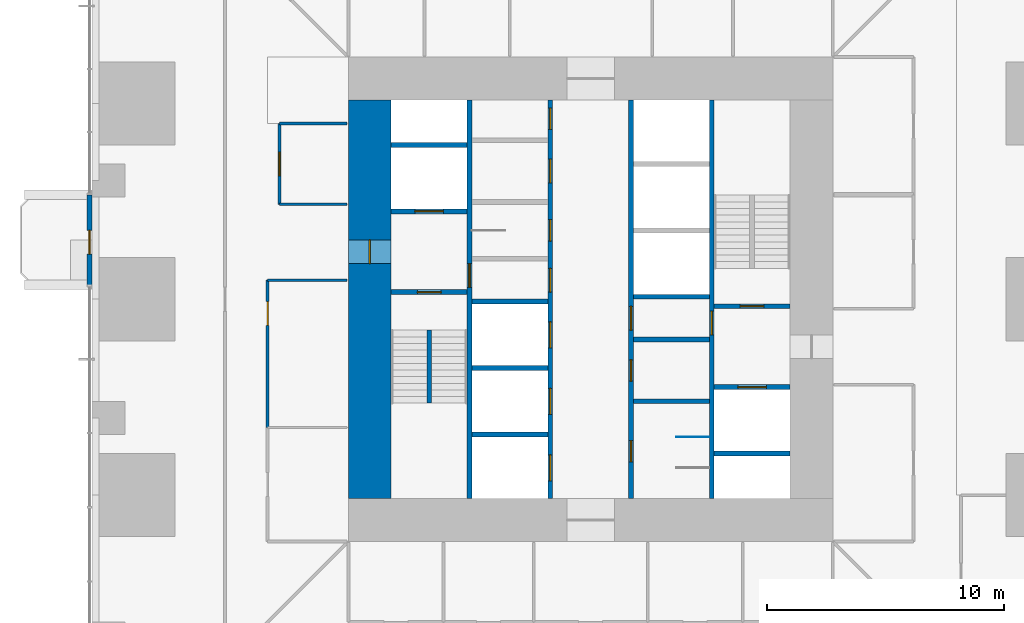
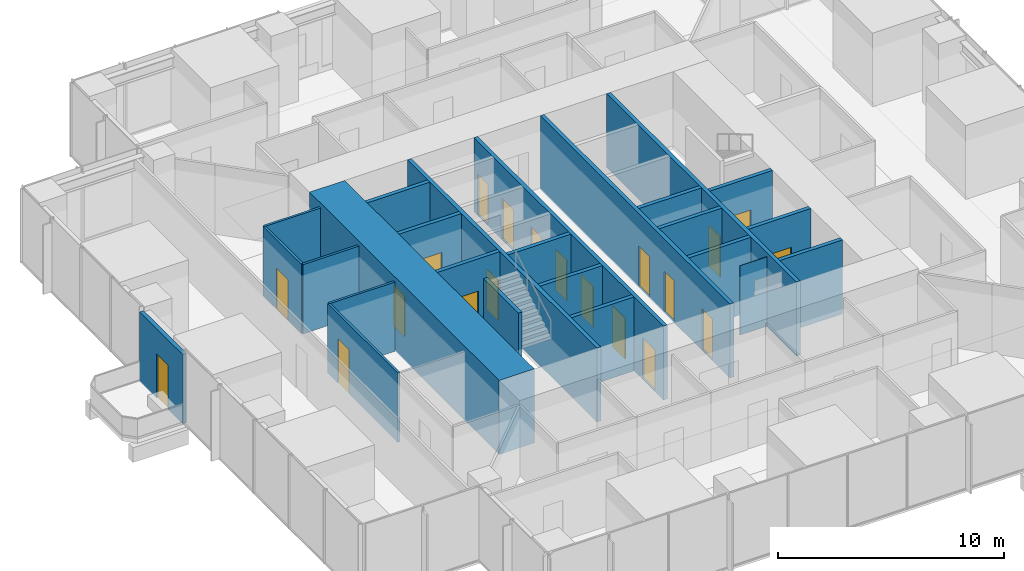
# One storey, part 10 of 15: 25 walls, 20 doors, 20 openings.
"""IFC4 building model written with IfcOpenShell, lengths in metres."""

from ifc_helpers import new_model, si_unit, direction, frame, frame_2d, origin, place, context, subcontext, project, spatial, rectangle, extrude, material, layer, layer_set, type_object, element, fill, save


model = new_model("IFC4")

# Units and contexts
model_context = context("Model", 3, precision=1e-05, world=origin(), true_north=direction((0.0, 1.0)))
body_context = subcontext(model_context, "Body", "Model", "MODEL_VIEW")
ifc_project = project(units=[si_unit("LENGTHUNIT", "METRE"), si_unit("AREAUNIT", "SQUARE_METRE"), si_unit("VOLUMEUNIT", "CUBIC_METRE"), si_unit("PLANEANGLEUNIT", "RADIAN"), si_unit("MASSUNIT", "GRAM", prefix="KILO")], contexts=[model_context])

# Site, building, storey
site_placement = place(None, origin())
site = spatial("IfcSite", under=ifc_project, at=site_placement, CompositionType="ELEMENT")
building_placement = place(site_placement, origin())
building = spatial("IfcBuilding", under=site, at=building_placement, Name="Svetlomir Tower", CompositionType="ELEMENT")
storey_placement = place(building_placement, frame((0.0, 0.0, 42.5)))
storey = spatial("IfcBuildingStorey", under=building, at=storey_placement, Name="L09", CompositionType="ELEMENT", Elevation=42.5)

# Wall, opening, door
ifc_material_1 = material(Name="Bronze anodised aluminium glazed screen", Category="aluminium")
ifc_layer_1 = layer(ifc_material_1, 0.199951171875)
ifc_layer_set_1 = layer_set([ifc_layer_1], Name="Bronze anodised aluminium glazed screen")
wall_type_1 = type_object("IfcWallType", Name="BALCONY SCREEN WALL 200", PredefinedType="USERDEFINED", material=ifc_layer_set_1)
wall_1_placement = place(storey_placement, frame((-0.10009765625, 25.39990234375, 0.0), z_axis=(0.0, 0.0, 1.0), x_axis=(0.0, -1.0, 0.0)))
wall_1 = element("IfcWall", 1, at=wall_1_placement, inside=storey, type_object=wall_type_1, Name="Balcony screen W", ObjectType="GLAZED SCREEN", PredefinedType="USERDEFINED", context=body_context, shape_type="SweptSolid", body=[
    extrude(rectangle(XDim=3.7998046875, YDim=0.199951171875, at=frame_2d((1.89990234375, 0.0))), origin(), (0.0, 0.0, 1.0), 3.75),
])
opening_1_placement = place(wall_1_placement, frame((1.5, 0.0, 0.0)))
opening_1 = element("IfcOpeningElement", 2, at=opening_1_placement, cuts=wall_1, Name="Opening BD", PredefinedType="OPENING", context=body_context, shape_type="SweptSolid", body=[
    extrude(rectangle(XDim=1.0, YDim=2.39990234375, at=frame_2d((0.5, 1.199951171875))), frame((0.0, 0.10986328125, 0.0), z_axis=(0.0, -1.0, 0.0), x_axis=(1.0, 0.0, 0.0)), (0.0, 0.0, 1.0), 0.219970703125),
])
ifc_material_2 = material(Name="Bronze anodised aluminium glazed door", Category="aluminium")
door_type_1 = type_object("IfcDoorType", Name="BALCONY DOOR BD 1000x2400", OperationType="SINGLE_SWING_LEFT", PredefinedType="DOOR", material=ifc_material_2)
door_1_placement = place(opening_1_placement, origin())
door_1 = element("IfcDoor", 3, at=door_1_placement, inside=storey, type_object=door_type_1, Name="Balcony screen W door", OperationType="SINGLE_SWING_LEFT", OverallHeight=2.39990234375, OverallWidth=1.0, PredefinedType="DOOR", context=body_context, shape_type="SweptSolid", body=[
    extrude(rectangle(XDim=1.0, YDim=2.39990234375, at=frame_2d((0.5, 1.199951171875))), frame((0.0, 0.02490234375, 0.0), z_axis=(0.0, -1.0, 0.0), x_axis=(1.0, 0.0, 0.0)), (0.0, 0.0, 1.0), 0.050048828125),
])
fill(opening_1, door_1)

ifc_material_3 = material(Name="Concrete C60/75", Category="concrete")
ifc_layer_2 = layer(ifc_material_3, 0.199951171875)
ifc_layer_set_2 = layer_set([ifc_layer_2], Name="Concrete C60/75")
wall_type_2 = type_object("IfcWallType", Name="CORE INNER WALL 200", PredefinedType="SHEAR", material=ifc_layer_set_2)
wall_2_placement = place(storey_placement, frame((15.89990234375, 12.60009765625, -0.050048828125), z_axis=(0.0, 0.0, 1.0), x_axis=(0.0, 1.0, 0.0)))
wall_2 = element("IfcWall", 4, at=wall_2_placement, inside=storey, type_object=wall_type_2, Name="Core inner wall 15.9 L09", PredefinedType="SHEAR", context=body_context, shape_type="SweptSolid", body=[
    extrude(rectangle(XDim=16.7998046875, YDim=0.199951171875, at=frame_2d((8.39990234375, 0.0))), origin(), (0.0, 0.0, 1.0), 4.0),
])
opening_2_placement = place(wall_2_placement, frame((8.89990234375, 0.0, 0.050048828125)))
opening_2 = element("IfcOpeningElement", 5, at=opening_2_placement, cuts=wall_2, Name="Opening DF", PredefinedType="OPENING", context=body_context, shape_type="SweptSolid", body=[
    extrude(rectangle(XDim=1.0, YDim=2.199951171875, at=frame_2d((0.5, 1.10009765625))), frame((0.0, 0.10986328125, 0.0), z_axis=(0.0, -1.0, 0.0), x_axis=(1.0, 0.0, 0.0)), (0.0, 0.0, 1.0), 0.219970703125),
])
ifc_material_4 = material(Name="Steel fire door", Category="steel")
door_type_2 = type_object("IfcDoorType", Name="DOOR DF 1000x2200", OperationType="SINGLE_SWING_LEFT", PredefinedType="DOOR", material=ifc_material_4)
door_2_placement = place(opening_2_placement, origin())
door_2 = element("IfcDoor", 6, at=door_2_placement, inside=storey, type_object=door_type_2, Name="Core corridor west door L09", OperationType="SINGLE_SWING_LEFT", OverallHeight=2.199951171875, OverallWidth=1.0, PredefinedType="DOOR", context=body_context, shape_type="SweptSolid", body=[
    extrude(rectangle(XDim=1.0, YDim=2.199951171875, at=frame_2d((0.5, 1.10009765625))), frame((0.0, 0.02490234375, 0.0), z_axis=(0.0, -1.0, 0.0), x_axis=(1.0, 0.0, 0.0)), (0.0, 0.0, 1.0), 0.050048828125),
])
fill(opening_2, door_2)

# Wall, openings, doors
wall_3_placement = place(storey_placement, frame((19.300048828125, 12.60009765625, -0.050048828125), z_axis=(0.0, 0.0, 1.0), x_axis=(0.0, 1.0, 0.0)))
wall_3 = element("IfcWall", 7, at=wall_3_placement, inside=storey, type_object=wall_type_2, Name="Core inner wall 19.3 L09", PredefinedType="SHEAR", context=body_context, shape_type="SweptSolid", body=[
    extrude(rectangle(XDim=16.7998046875, YDim=0.199951171875, at=frame_2d((8.39990234375, 0.0))), origin(), (0.0, 0.0, 1.0), 4.0),
])
opening_3_placement = place(wall_3_placement, frame((8.699951171875, 0.0, 0.050048828125)))
opening_3 = element("IfcOpeningElement", 8, at=opening_3_placement, cuts=wall_3, Name="Opening DC", PredefinedType="OPENING", context=body_context, shape_type="SweptSolid", body=[
    extrude(rectangle(XDim=1.0, YDim=2.199951171875, at=frame_2d((0.5, 1.10009765625))), frame((0.0, 0.10986328125, 0.0), z_axis=(0.0, -1.0, 0.0), x_axis=(1.0, 0.0, 0.0)), (0.0, 0.0, 1.0), 0.219970703125),
])
opening_4_placement = place(wall_3_placement, frame((10.85009765625, 0.0, 0.050048828125)))
opening_4 = element("IfcOpeningElement", 9, at=opening_4_placement, cuts=wall_3, Name="Opening DW", PredefinedType="OPENING", context=body_context, shape_type="SweptSolid", body=[
    extrude(rectangle(XDim=0.89990234375, YDim=2.199951171875, at=frame_2d((0.449951171875, 1.10009765625))), frame((0.0, 0.10986328125, 0.0), z_axis=(0.0, -1.0, 0.0), x_axis=(1.0, 0.0, 0.0)), (0.0, 0.0, 1.0), 0.219970703125),
])
opening_5_placement = place(wall_3_placement, frame((13.300048828125, 0.0, 0.050048828125)))
opening_5 = element("IfcOpeningElement", 10, at=opening_5_placement, cuts=wall_3, Name="Opening DC", PredefinedType="OPENING", context=body_context, shape_type="SweptSolid", body=[
    extrude(rectangle(XDim=1.0, YDim=2.199951171875, at=frame_2d((0.5, 1.10009765625))), frame((0.0, 0.10986328125, 0.0), z_axis=(0.0, -1.0, 0.0), x_axis=(1.0, 0.0, 0.0)), (0.0, 0.0, 1.0), 0.219970703125),
])
opening_6_placement = place(wall_3_placement, frame((15.550048828125, 0.0, 0.050048828125)))
opening_6 = element("IfcOpeningElement", 11, at=opening_6_placement, cuts=wall_3, Name="Opening DW", PredefinedType="OPENING", context=body_context, shape_type="SweptSolid", body=[
    extrude(rectangle(XDim=0.89990234375, YDim=2.199951171875, at=frame_2d((0.449951171875, 1.10009765625))), frame((0.0, 0.10986328125, 0.0), z_axis=(0.0, -1.0, 0.0), x_axis=(1.0, 0.0, 0.0)), (0.0, 0.0, 1.0), 0.219970703125),
])
opening_7_placement = place(wall_3_placement, frame((0.75, 0.0, 0.050048828125)))
opening_7 = element("IfcOpeningElement", 12, at=opening_7_placement, cuts=wall_3, Name="Opening LD", PredefinedType="OPENING", context=body_context, shape_type="SweptSolid", body=[
    extrude(rectangle(XDim=1.10009765625, YDim=2.199951171875, at=frame_2d((0.550048828125, 1.10009765625))), frame((0.0, 0.10986328125, 0.0), z_axis=(0.0, -1.0, 0.0), x_axis=(1.0, 0.0, 0.0)), (0.0, 0.0, 1.0), 0.219970703125),
])
opening_8_placement = place(wall_3_placement, frame((3.550048828125, 0.0, 0.050048828125)))
opening_8 = element("IfcOpeningElement", 13, at=opening_8_placement, cuts=wall_3, Name="Opening LD", PredefinedType="OPENING", context=body_context, shape_type="SweptSolid", body=[
    extrude(rectangle(XDim=1.10009765625, YDim=2.199951171875, at=frame_2d((0.550048828125, 1.10009765625))), frame((0.0, 0.10986328125, 0.0), z_axis=(0.0, -1.0, 0.0), x_axis=(1.0, 0.0, 0.0)), (0.0, 0.0, 1.0), 0.219970703125),
])
opening_9_placement = place(wall_3_placement, frame((6.35009765625, 0.0, 0.050048828125)))
opening_9 = element("IfcOpeningElement", 14, at=opening_9_placement, cuts=wall_3, Name="Opening LD", PredefinedType="OPENING", context=body_context, shape_type="SweptSolid", body=[
    extrude(rectangle(XDim=1.10009765625, YDim=2.199951171875, at=frame_2d((0.550048828125, 1.10009765625))), frame((0.0, 0.10986328125, 0.0), z_axis=(0.0, -1.0, 0.0), x_axis=(1.0, 0.0, 0.0)), (0.0, 0.0, 1.0), 0.219970703125),
])
ifc_material_5 = material(Name="Timber fire door", Category="wood")
door_type_3 = type_object("IfcDoorType", Name="DOOR DC 1000x2200", OperationType="SINGLE_SWING_LEFT", PredefinedType="DOOR", material=ifc_material_5)
door_3_placement = place(opening_3_placement, origin())
door_3 = element("IfcDoor", 15, at=door_3_placement, inside=storey, type_object=door_type_3, Name="Core corridor west lobby door L09", OperationType="SINGLE_SWING_LEFT", OverallHeight=2.199951171875, OverallWidth=1.0, PredefinedType="DOOR", context=body_context, shape_type="SweptSolid", body=[
    extrude(rectangle(XDim=1.0, YDim=2.199951171875, at=frame_2d((0.5, 1.10009765625))), frame((0.0, 0.02490234375, 0.0), z_axis=(0.0, -1.0, 0.0), x_axis=(1.0, 0.0, 0.0)), (0.0, 0.0, 1.0), 0.050048828125),
])
fill(opening_3, door_3)
door_4_placement = place(opening_5_placement, origin())
door_4 = element("IfcDoor", 16, at=door_4_placement, inside=storey, type_object=door_type_3, Name="Accessible WC door L09", OperationType="SINGLE_SWING_RIGHT", OverallHeight=2.199951171875, OverallWidth=1.0, PredefinedType="DOOR", context=body_context, shape_type="SweptSolid", body=[
    extrude(rectangle(XDim=1.0, YDim=2.199951171875, at=frame_2d((0.5, 1.10009765625))), frame((0.0, 0.02490234375, 0.0), z_axis=(0.0, -1.0, 0.0), x_axis=(1.0, 0.0, 0.0)), (0.0, 0.0, 1.0), 0.050048828125),
])
fill(opening_5, door_4)
ifc_material_6 = material(Name="Timber fire door", Category="wood")
door_type_4 = type_object("IfcDoorType", Name="DOOR DW 900x2200", OperationType="SINGLE_SWING_LEFT", PredefinedType="DOOR", material=ifc_material_6)
door_5_placement = place(opening_4_placement, origin())
door_5 = element("IfcDoor", 17, at=door_5_placement, inside=storey, type_object=door_type_4, Name="Female WC door L09", OperationType="SINGLE_SWING_LEFT", OverallHeight=2.199951171875, OverallWidth=0.89990234375, PredefinedType="DOOR", context=body_context, shape_type="SweptSolid", body=[
    extrude(rectangle(XDim=0.89990234375, YDim=2.199951171875, at=frame_2d((0.449951171875, 1.10009765625))), frame((0.0, 0.02490234375, 0.0), z_axis=(0.0, -1.0, 0.0), x_axis=(1.0, 0.0, 0.0)), (0.0, 0.0, 1.0), 0.050048828125),
])
fill(opening_4, door_5)
door_6_placement = place(opening_6_placement, origin())
door_6 = element("IfcDoor", 18, at=door_6_placement, inside=storey, type_object=door_type_4, Name="Tea point door L09", OperationType="SINGLE_SWING_LEFT", OverallHeight=2.199951171875, OverallWidth=0.89990234375, PredefinedType="DOOR", context=body_context, shape_type="SweptSolid", body=[
    extrude(rectangle(XDim=0.89990234375, YDim=2.199951171875, at=frame_2d((0.449951171875, 1.10009765625))), frame((0.0, 0.02490234375, 0.0), z_axis=(0.0, -1.0, 0.0), x_axis=(1.0, 0.0, 0.0)), (0.0, 0.0, 1.0), 0.050048828125),
])
fill(opening_6, door_6)
ifc_material_7 = material(Name="Stainless steel landing door", Category="steel")
door_type_5 = type_object("IfcDoorType", Name="LIFT LANDING DOOR LD 1100x2200", OperationType="DOUBLE_DOOR_SLIDING", PredefinedType="DOOR", material=ifc_material_7)
door_7_placement = place(opening_7_placement, origin())
door_7 = element("IfcDoor", 19, at=door_7_placement, inside=storey, type_object=door_type_5, Name="Landing door lift LA1 L09", OperationType="DOUBLE_DOOR_SLIDING", OverallHeight=2.199951171875, OverallWidth=1.10009765625, PredefinedType="DOOR", context=body_context, shape_type="SweptSolid", body=[
    extrude(rectangle(XDim=1.10009765625, YDim=2.199951171875, at=frame_2d((0.550048828125, 1.10009765625))), frame((0.0, 0.02490234375, 0.0), z_axis=(0.0, -1.0, 0.0), x_axis=(1.0, 0.0, 0.0)), (0.0, 0.0, 1.0), 0.050048828125),
])
fill(opening_7, door_7)
door_8_placement = place(opening_8_placement, origin())
door_8 = element("IfcDoor", 20, at=door_8_placement, inside=storey, type_object=door_type_5, Name="Landing door lift LA2 L09", OperationType="DOUBLE_DOOR_SLIDING", OverallHeight=2.199951171875, OverallWidth=1.10009765625, PredefinedType="DOOR", context=body_context, shape_type="SweptSolid", body=[
    extrude(rectangle(XDim=1.10009765625, YDim=2.199951171875, at=frame_2d((0.550048828125, 1.10009765625))), frame((0.0, 0.02490234375, 0.0), z_axis=(0.0, -1.0, 0.0), x_axis=(1.0, 0.0, 0.0)), (0.0, 0.0, 1.0), 0.050048828125),
])
fill(opening_8, door_8)
door_9_placement = place(opening_9_placement, origin())
door_9 = element("IfcDoor", 21, at=door_9_placement, inside=storey, type_object=door_type_5, Name="Landing door lift LA3 L09", OperationType="DOUBLE_DOOR_SLIDING", OverallHeight=2.199951171875, OverallWidth=1.10009765625, PredefinedType="DOOR", context=body_context, shape_type="SweptSolid", body=[
    extrude(rectangle(XDim=1.10009765625, YDim=2.199951171875, at=frame_2d((0.550048828125, 1.10009765625))), frame((0.0, 0.02490234375, 0.0), z_axis=(0.0, -1.0, 0.0), x_axis=(1.0, 0.0, 0.0)), (0.0, 0.0, 1.0), 0.050048828125),
])
fill(opening_9, door_9)

wall_4_placement = place(storey_placement, frame((22.699951171875, 12.60009765625, -0.050048828125), z_axis=(0.0, 0.0, 1.0), x_axis=(0.0, 1.0, 0.0)))
wall_4 = element("IfcWall", 22, at=wall_4_placement, inside=storey, type_object=wall_type_2, Name="Core inner wall 22.7 L09", PredefinedType="SHEAR", context=body_context, shape_type="SweptSolid", body=[
    extrude(rectangle(XDim=16.7998046875, YDim=0.199951171875, at=frame_2d((8.39990234375, 0.0))), origin(), (0.0, 0.0, 1.0), 4.0),
])
opening_10_placement = place(wall_4_placement, frame((7.10009765625, 0.0, 0.050048828125)))
opening_10 = element("IfcOpeningElement", 23, at=opening_10_placement, cuts=wall_4, Name="Opening DC", PredefinedType="OPENING", context=body_context, shape_type="SweptSolid", body=[
    extrude(rectangle(XDim=1.0, YDim=2.199951171875, at=frame_2d((0.5, 1.10009765625))), frame((0.0, 0.10986328125, 0.0), z_axis=(0.0, -1.0, 0.0), x_axis=(1.0, 0.0, 0.0)), (0.0, 0.0, 1.0), 0.219970703125),
])
opening_11_placement = place(wall_4_placement, frame((1.550048828125, 0.0, 0.050048828125)))
opening_11 = element("IfcOpeningElement", 24, at=opening_11_placement, cuts=wall_4, Name="Opening DW", PredefinedType="OPENING", context=body_context, shape_type="SweptSolid", body=[
    extrude(rectangle(XDim=0.89990234375, YDim=2.199951171875, at=frame_2d((0.449951171875, 1.10009765625))), frame((0.0, 0.10986328125, 0.0), z_axis=(0.0, -1.0, 0.0), x_axis=(1.0, 0.0, 0.0)), (0.0, 0.0, 1.0), 0.219970703125),
])
opening_12_placement = place(wall_4_placement, frame((4.949951171875, 0.0, 0.050048828125)))
opening_12 = element("IfcOpeningElement", 25, at=opening_12_placement, cuts=wall_4, Name="Opening DW", PredefinedType="OPENING", context=body_context, shape_type="SweptSolid", body=[
    extrude(rectangle(XDim=0.89990234375, YDim=2.199951171875, at=frame_2d((0.449951171875, 1.10009765625))), frame((0.0, 0.10986328125, 0.0), z_axis=(0.0, -1.0, 0.0), x_axis=(1.0, 0.0, 0.0)), (0.0, 0.0, 1.0), 0.219970703125),
])
door_10_placement = place(opening_10_placement, origin())
door_10 = element("IfcDoor", 26, at=door_10_placement, inside=storey, type_object=door_type_3, Name="Core corridor east lobby door L09", OperationType="SINGLE_SWING_RIGHT", OverallHeight=2.199951171875, OverallWidth=1.0, PredefinedType="DOOR", context=body_context, shape_type="SweptSolid", body=[
    extrude(rectangle(XDim=1.0, YDim=2.199951171875, at=frame_2d((0.5, 1.10009765625))), frame((0.0, 0.02490234375, 0.0), z_axis=(0.0, -1.0, 0.0), x_axis=(1.0, 0.0, 0.0)), (0.0, 0.0, 1.0), 0.050048828125),
])
fill(opening_10, door_10)
door_11_placement = place(opening_11_placement, origin())
door_11 = element("IfcDoor", 27, at=door_11_placement, inside=storey, type_object=door_type_4, Name="Male WC door L09", OperationType="SINGLE_SWING_RIGHT", OverallHeight=2.199951171875, OverallWidth=0.89990234375, PredefinedType="DOOR", context=body_context, shape_type="SweptSolid", body=[
    extrude(rectangle(XDim=0.89990234375, YDim=2.199951171875, at=frame_2d((0.449951171875, 1.10009765625))), frame((0.0, 0.02490234375, 0.0), z_axis=(0.0, -1.0, 0.0), x_axis=(1.0, 0.0, 0.0)), (0.0, 0.0, 1.0), 0.050048828125),
])
fill(opening_11, door_11)
door_12_placement = place(opening_12_placement, origin())
door_12 = element("IfcDoor", 28, at=door_12_placement, inside=storey, type_object=door_type_4, Name="Comms room door L09", OperationType="SINGLE_SWING_LEFT", OverallHeight=2.199951171875, OverallWidth=0.89990234375, PredefinedType="DOOR", context=body_context, shape_type="SweptSolid", body=[
    extrude(rectangle(XDim=0.89990234375, YDim=2.199951171875, at=frame_2d((0.449951171875, 1.10009765625))), frame((0.0, 0.02490234375, 0.0), z_axis=(0.0, -1.0, 0.0), x_axis=(1.0, 0.0, 0.0)), (0.0, 0.0, 1.0), 0.050048828125),
])
fill(opening_12, door_12)

# Wall, opening, door
wall_5_placement = place(storey_placement, frame((26.10009765625, 12.60009765625, -0.050048828125), z_axis=(0.0, 0.0, 1.0), x_axis=(0.0, 1.0, 0.0)))
wall_5 = element("IfcWall", 29, at=wall_5_placement, inside=storey, type_object=wall_type_2, Name="Core inner wall 26.1 L09", PredefinedType="SHEAR", context=body_context, shape_type="SweptSolid", body=[
    extrude(rectangle(XDim=16.7998046875, YDim=0.199951171875, at=frame_2d((8.39990234375, 0.0))), origin(), (0.0, 0.0, 1.0), 4.0),
])
opening_13_placement = place(wall_5_placement, frame((6.89990234375, 0.0, 0.050048828125)))
opening_13 = element("IfcOpeningElement", 30, at=opening_13_placement, cuts=wall_5, Name="Opening DF", PredefinedType="OPENING", context=body_context, shape_type="SweptSolid", body=[
    extrude(rectangle(XDim=1.0, YDim=2.199951171875, at=frame_2d((0.5, 1.10009765625))), frame((0.0, 0.10986328125, 0.0), z_axis=(0.0, -1.0, 0.0), x_axis=(1.0, 0.0, 0.0)), (0.0, 0.0, 1.0), 0.219970703125),
])
door_13_placement = place(opening_13_placement, origin())
door_13 = element("IfcDoor", 31, at=door_13_placement, inside=storey, type_object=door_type_2, Name="Core corridor east door L09", OperationType="SINGLE_SWING_LEFT", OverallHeight=2.199951171875, OverallWidth=1.0, PredefinedType="DOOR", context=body_context, shape_type="SweptSolid", body=[
    extrude(rectangle(XDim=1.0, YDim=2.199951171875, at=frame_2d((0.5, 1.10009765625))), frame((0.0, 0.02490234375, 0.0), z_axis=(0.0, -1.0, 0.0), x_axis=(1.0, 0.0, 0.0)), (0.0, 0.0, 1.0), 0.050048828125),
])
fill(opening_13, door_13)

wall_6_placement = place(storey_placement, frame((12.60009765625, 21.300048828125, -0.050048828125), z_axis=(0.0, 0.0, 1.0), x_axis=(1.0, 0.0, 0.0)))
wall_6 = element("IfcWall", 32, at=wall_6_placement, inside=storey, type_object=wall_type_2, Name="Core inner wall 12.6-15.8/21.3 L09", PredefinedType="SHEAR", context=body_context, shape_type="SweptSolid", body=[
    extrude(rectangle(XDim=3.199951171875, YDim=0.199951171875, at=frame_2d((1.60009765625, 0.0))), origin(), (0.0, 0.0, 1.0), 4.0),
])
opening_14_placement = place(wall_6_placement, frame((1.10009765625, 0.0, 0.050048828125)))
opening_14 = element("IfcOpeningElement", 33, at=opening_14_placement, cuts=wall_6, Name="Opening DF", PredefinedType="OPENING", context=body_context, shape_type="SweptSolid", body=[
    extrude(rectangle(XDim=1.0, YDim=2.199951171875, at=frame_2d((0.5, 1.10009765625))), frame((0.0, 0.10986328125, 0.0), z_axis=(0.0, -1.0, 0.0), x_axis=(1.0, 0.0, 0.0)), (0.0, 0.0, 1.0), 0.219970703125),
])
door_14_placement = place(opening_14_placement, origin())
door_14 = element("IfcDoor", 34, at=door_14_placement, inside=storey, type_object=door_type_2, Name="Stair S1 door L09", OperationType="SINGLE_SWING_LEFT", OverallHeight=2.199951171875, OverallWidth=1.0, PredefinedType="DOOR", context=body_context, shape_type="SweptSolid", body=[
    extrude(rectangle(XDim=1.0, YDim=2.199951171875, at=frame_2d((0.5, 1.10009765625))), frame((0.0, 0.02490234375, 0.0), z_axis=(0.0, -1.0, 0.0), x_axis=(1.0, 0.0, 0.0)), (0.0, 0.0, 1.0), 0.050048828125),
])
fill(opening_14, door_14)

wall_7_placement = place(storey_placement, frame((12.60009765625, 24.699951171875, -0.050048828125), z_axis=(0.0, 0.0, 1.0), x_axis=(1.0, 0.0, 0.0)))
wall_7 = element("IfcWall", 35, at=wall_7_placement, inside=storey, type_object=wall_type_2, Name="Core inner wall 12.6-15.8/24.7 L09", PredefinedType="SHEAR", context=body_context, shape_type="SweptSolid", body=[
    extrude(rectangle(XDim=3.199951171875, YDim=0.199951171875, at=frame_2d((1.60009765625, 0.0))), origin(), (0.0, 0.0, 1.0), 4.0),
])
opening_15_placement = place(wall_7_placement, frame((1.0, 0.0, 0.050048828125)))
opening_15 = element("IfcOpeningElement", 36, at=opening_15_placement, cuts=wall_7, Name="Opening LD3", PredefinedType="OPENING", context=body_context, shape_type="SweptSolid", body=[
    extrude(rectangle(XDim=1.199951171875, YDim=2.199951171875, at=frame_2d((0.60009765625, 1.10009765625))), frame((0.0, 0.10986328125, 0.0), z_axis=(0.0, -1.0, 0.0), x_axis=(1.0, 0.0, 0.0)), (0.0, 0.0, 1.0), 0.219970703125),
])
ifc_material_8 = material(Name="Stainless steel fire-rated landing door", Category="steel")
door_type_6 = type_object("IfcDoorType", Name="FIREFIGHTING LIFT LANDING DOOR LD3 1200x2200", OperationType="DOUBLE_DOOR_SLIDING", PredefinedType="DOOR", material=ifc_material_8)
door_15_placement = place(opening_15_placement, origin())
door_15 = element("IfcDoor", 37, at=door_15_placement, inside=storey, type_object=door_type_6, Name="Landing door lift FL1 L09", OperationType="DOUBLE_DOOR_SLIDING", OverallHeight=2.199951171875, OverallWidth=1.199951171875, PredefinedType="DOOR", context=body_context, shape_type="SweptSolid", body=[
    extrude(rectangle(XDim=1.199951171875, YDim=2.199951171875, at=frame_2d((0.60009765625, 1.10009765625))), frame((0.0, 0.02490234375, 0.0), z_axis=(0.0, -1.0, 0.0), x_axis=(1.0, 0.0, 0.0)), (0.0, 0.0, 1.0), 0.050048828125),
])
fill(opening_15, door_15)

# Walls
for number, where, z_axis, x_axis, name in (
    (38, (12.60009765625, 27.5, -0.050048828125), (0.0, 0.0, 1.0), (1.0, 0.0, 0.0), "Core inner wall 12.6-15.8/27.5 L09"),
    (39, (16.0, 15.300048828125, -0.050048828125), (0.0, 0.0, 1.0), (1.0, 0.0, 0.0), "Core inner wall 16-19.2/15.3 L09"),
    (40, (16.0, 18.10009765625, -0.050048828125), (0.0, 0.0, 1.0), (1.0, 0.0, 0.0), "Core inner wall 16-19.2/18.1 L09"),
    (41, (16.0, 20.89990234375, -0.050048828125), (0.0, 0.0, 1.0), (1.0, 0.0, 0.0), "Core inner wall 16-19.2/20.9 L09"),
    (42, (22.800048828125, 16.699951171875, -0.050048828125), (0.0, 0.0, 1.0), (1.0, 0.0, 0.0), "Core inner wall 22.8-26/16.7 L09"),
    (43, (22.800048828125, 19.300048828125, -0.050048828125), (0.0, 0.0, 1.0), (1.0, 0.0, 0.0), "Core inner wall 22.8-26/19.3 L09"),
    (44, (22.800048828125, 21.10009765625, -0.050048828125), (0.0, 0.0, 1.0), (1.0, 0.0, 0.0), "Core inner wall 22.8-26/21.1 L09"),
    (45, (26.199951171875, 14.5, -0.050048828125), (0.0, 0.0, 1.0), (1.0, 0.0, 0.0), "Core inner wall 26.2-29.4/14.5 L09"),
):
    element("IfcWall", number, at=place(storey_placement, frame(where, z_axis=z_axis, x_axis=x_axis)), inside=storey, type_object=wall_type_2, Name=name, PredefinedType="SHEAR", context=body_context, shape_type="SweptSolid", body=[
        extrude(rectangle(XDim=3.199951171875, YDim=0.199951171875, at=frame_2d((1.60009765625, 0.0))), origin(), (0.0, 0.0, 1.0), 4.0),
    ])

# Wall, opening, door
wall_8_placement = place(storey_placement, frame((26.199951171875, 17.300048828125, -0.050048828125), z_axis=(0.0, 0.0, 1.0), x_axis=(1.0, 0.0, 0.0)))
wall_8 = element("IfcWall", 46, at=wall_8_placement, inside=storey, type_object=wall_type_2, Name="Core inner wall 26.2-29.4/17.3 L09", PredefinedType="SHEAR", context=body_context, shape_type="SweptSolid", body=[
    extrude(rectangle(XDim=3.199951171875, YDim=0.199951171875, at=frame_2d((1.60009765625, 0.0))), origin(), (0.0, 0.0, 1.0), 4.0),
])
opening_16_placement = place(wall_8_placement, frame((1.0, 0.0, 0.050048828125)))
opening_16 = element("IfcOpeningElement", 47, at=opening_16_placement, cuts=wall_8, Name="Opening LD3", PredefinedType="OPENING", context=body_context, shape_type="SweptSolid", body=[
    extrude(rectangle(XDim=1.199951171875, YDim=2.199951171875, at=frame_2d((0.60009765625, 1.10009765625))), frame((0.0, 0.10986328125, 0.0), z_axis=(0.0, -1.0, 0.0), x_axis=(1.0, 0.0, 0.0)), (0.0, 0.0, 1.0), 0.219970703125),
])
door_16_placement = place(opening_16_placement, origin())
door_16 = element("IfcDoor", 48, at=door_16_placement, inside=storey, type_object=door_type_6, Name="Landing door lift FL2 L09", OperationType="DOUBLE_DOOR_SLIDING", OverallHeight=2.199951171875, OverallWidth=1.199951171875, PredefinedType="DOOR", context=body_context, shape_type="SweptSolid", body=[
    extrude(rectangle(XDim=1.199951171875, YDim=2.199951171875, at=frame_2d((0.60009765625, 1.10009765625))), frame((0.0, 0.02490234375, 0.0), z_axis=(0.0, -1.0, 0.0), x_axis=(1.0, 0.0, 0.0)), (0.0, 0.0, 1.0), 0.050048828125),
])
fill(opening_16, door_16)

wall_9_placement = place(storey_placement, frame((26.199951171875, 20.699951171875, -0.050048828125), z_axis=(0.0, 0.0, 1.0), x_axis=(1.0, 0.0, 0.0)))
wall_9 = element("IfcWall", 49, at=wall_9_placement, inside=storey, type_object=wall_type_2, Name="Core inner wall 26.2-29.4/20.7 L09", PredefinedType="SHEAR", context=body_context, shape_type="SweptSolid", body=[
    extrude(rectangle(XDim=3.199951171875, YDim=0.199951171875, at=frame_2d((1.60009765625, 0.0))), origin(), (0.0, 0.0, 1.0), 4.0),
])
opening_17_placement = place(wall_9_placement, frame((1.10009765625, 0.0, 0.050048828125)))
opening_17 = element("IfcOpeningElement", 50, at=opening_17_placement, cuts=wall_9, Name="Opening DF", PredefinedType="OPENING", context=body_context, shape_type="SweptSolid", body=[
    extrude(rectangle(XDim=1.0, YDim=2.199951171875, at=frame_2d((0.5, 1.10009765625))), frame((0.0, 0.10986328125, 0.0), z_axis=(0.0, -1.0, 0.0), x_axis=(1.0, 0.0, 0.0)), (0.0, 0.0, 1.0), 0.219970703125),
])
door_17_placement = place(opening_17_placement, origin())
door_17 = element("IfcDoor", 51, at=door_17_placement, inside=storey, type_object=door_type_2, Name="Stair S2 door L09", OperationType="SINGLE_SWING_RIGHT", OverallHeight=2.199951171875, OverallWidth=1.0, PredefinedType="DOOR", context=body_context, shape_type="SweptSolid", body=[
    extrude(rectangle(XDim=1.0, YDim=2.199951171875, at=frame_2d((0.5, 1.10009765625))), frame((0.0, 0.02490234375, 0.0), z_axis=(0.0, -1.0, 0.0), x_axis=(1.0, 0.0, 0.0)), (0.0, 0.0, 1.0), 0.050048828125),
])
fill(opening_17, door_17)

ifc_material_9 = material(Name="Concrete C60/75", Category="concrete")
ifc_layer_3 = layer(ifc_material_9, 1.800048828125)
ifc_layer_set_3 = layer_set([ifc_layer_3], Name="Concrete C60/75")
wall_type_3 = type_object("IfcWallType", Name="CORE WALL 1800", PredefinedType="SHEAR", material=ifc_layer_set_3)
wall_10_placement = place(storey_placement, frame((11.699951171875, 12.60009765625, -0.050048828125), z_axis=(0.0, 0.0, 1.0), x_axis=(0.0, 1.0, 0.0)))
wall_10 = element("IfcWall", 52, at=wall_10_placement, inside=storey, type_object=wall_type_3, Name="Core wall west L09", PredefinedType="SHEAR", context=body_context, shape_type="SweptSolid", body=[
    extrude(rectangle(XDim=16.7998046875, YDim=1.800048828125, at=frame_2d((8.39990234375, 0.0))), origin(), (0.0, 0.0, 1.0), 4.0),
])
opening_18_placement = place(wall_10_placement, frame((9.89990234375, 0.0, 0.050048828125)))
opening_18 = element("IfcOpeningElement", 53, at=opening_18_placement, cuts=wall_10, Name="Opening DF", PredefinedType="OPENING", context=body_context, shape_type="SweptSolid", body=[
    extrude(rectangle(XDim=1.0, YDim=2.199951171875, at=frame_2d((0.5, 1.10009765625))), frame((0.0, 0.91015625, 0.0), z_axis=(0.0, -1.0, 0.0), x_axis=(1.0, 0.0, 0.0)), (0.0, 0.0, 1.0), 1.820068359375),
])
door_18_placement = place(opening_18_placement, origin())
door_18 = element("IfcDoor", 54, at=door_18_placement, inside=storey, type_object=door_type_2, Name="Firefighting lobby west door L09", OperationType="SINGLE_SWING_LEFT", OverallHeight=2.199951171875, OverallWidth=1.0, PredefinedType="DOOR", context=body_context, shape_type="SweptSolid", body=[
    extrude(rectangle(XDim=1.0, YDim=2.199951171875, at=frame_2d((0.5, 1.10009765625))), frame((0.0, 0.02490234375, 0.0), z_axis=(0.0, -1.0, 0.0), x_axis=(1.0, 0.0, 0.0)), (0.0, 0.0, 1.0), 0.050048828125),
])
fill(opening_18, door_18)

ifc_material_10 = material(Name="Gypsum board on steel studs", Category="steel")
ifc_layer_4 = layer(ifc_material_10, 0.1201171875)
ifc_layer_set_4 = layer_set([ifc_layer_4], Name="Gypsum board on steel studs")
wall_type_4 = type_object("IfcWallType", Name="PARTITION 120", PredefinedType="PARTITIONING", material=ifc_layer_set_4)
wall_11_placement = place(storey_placement, frame((7.39990234375, 15.60009765625, 0.0), z_axis=(0.0, 0.0, 1.0), x_axis=(0.0, 1.0, 0.0)))
wall_11 = element("IfcWall", 55, at=wall_11_placement, inside=storey, type_object=wall_type_4, Name="Partition L09", PredefinedType="PARTITIONING", context=body_context, shape_type="SweptSolid", body=[
    extrude(rectangle(XDim=6.199951171875, YDim=0.1201171875, at=frame_2d((3.10009765625, 0.0))), origin(), (0.0, 0.0, 1.0), 3.75),
])
opening_19_placement = place(wall_11_placement, frame((4.300048828125, 0.0, 0.0)))
opening_19 = element("IfcOpeningElement", 56, at=opening_19_placement, cuts=wall_11, Name="Opening DG", PredefinedType="OPENING", context=body_context, shape_type="SweptSolid", body=[
    extrude(rectangle(XDim=1.0, YDim=2.39990234375, at=frame_2d((0.5, 1.199951171875))), frame((0.0, 0.070068359375, 0.0), z_axis=(0.0, -1.0, 0.0), x_axis=(1.0, 0.0, 0.0)), (0.0, 0.0, 1.0), 0.14013671875),
])
ifc_material_11 = material(Name="Framed laminated glass door", Category="glass")
door_type_7 = type_object("IfcDoorType", Name="GLAZED DOOR DG 1000x2400", OperationType="SINGLE_SWING_LEFT", PredefinedType="DOOR", material=ifc_material_11)
door_19_placement = place(opening_19_placement, origin())
door_19 = element("IfcDoor", 57, at=door_19_placement, inside=storey, type_object=door_type_7, Name="Ring corridor 3 door 3 L09", OperationType="SINGLE_SWING_LEFT", OverallHeight=2.39990234375, OverallWidth=1.0, PredefinedType="DOOR", context=body_context, shape_type="SweptSolid", body=[
    extrude(rectangle(XDim=1.0, YDim=2.39990234375, at=frame_2d((0.5, 1.199951171875))), frame((0.0, 0.02490234375, 0.0), z_axis=(0.0, -1.0, 0.0), x_axis=(1.0, 0.0, 0.0)), (0.0, 0.0, 1.0), 0.050048828125),
])
fill(opening_19, door_19)

# Wall
wall_12_placement = place(storey_placement, frame((7.39990234375, 21.800048828125, 0.0), z_axis=(0.0, 0.0, 1.0), x_axis=(1.0, 0.0, 0.0)))
element("IfcWall", 58, at=wall_12_placement, inside=storey, type_object=wall_type_4, Name="Partition L09", PredefinedType="PARTITIONING", context=body_context, shape_type="SweptSolid", body=[
    extrude(rectangle(XDim=3.35009765625, YDim=0.1201171875, at=frame_2d((1.675048828125, 0.0))), origin(), (0.0, 0.0, 1.0), 3.75),
])

# Wall, opening, door
wall_13_placement = place(storey_placement, frame((7.89990234375, 25.0, 0.0), z_axis=(0.0, 0.0, 1.0), x_axis=(0.0, 1.0, 0.0)))
wall_13 = element("IfcWall", 59, at=wall_13_placement, inside=storey, type_object=wall_type_4, Name="Partition L09", PredefinedType="PARTITIONING", context=body_context, shape_type="SweptSolid", body=[
    extrude(rectangle(XDim=3.39990234375, YDim=0.1201171875, at=frame_2d((1.699951171875, 0.0))), origin(), (0.0, 0.0, 1.0), 3.75),
])
opening_20_placement = place(wall_13_placement, frame((1.199951171875, 0.0, 0.0)))
opening_20 = element("IfcOpeningElement", 60, at=opening_20_placement, cuts=wall_13, Name="Opening DR", PredefinedType="OPENING", context=body_context, shape_type="SweptSolid", body=[
    extrude(rectangle(XDim=1.0, YDim=2.199951171875, at=frame_2d((0.5, 1.10009765625))), frame((0.0, 0.070068359375, 0.0), z_axis=(0.0, -1.0, 0.0), x_axis=(1.0, 0.0, 0.0)), (0.0, 0.0, 1.0), 0.14013671875),
])
ifc_material_12 = material(Name="Timber door, glazed side light", Category="wood")
door_type_8 = type_object("IfcDoorType", Name="DOOR DR 1000x2200", OperationType="SINGLE_SWING_LEFT", PredefinedType="DOOR", material=ifc_material_12)
door_20_placement = place(opening_20_placement, origin())
door_20 = element("IfcDoor", 61, at=door_20_placement, inside=storey, type_object=door_type_8, Name="Comms rack room door L09", OperationType="SINGLE_SWING_RIGHT", OverallHeight=2.199951171875, OverallWidth=1.0, PredefinedType="DOOR", context=body_context, shape_type="SweptSolid", body=[
    extrude(rectangle(XDim=1.0, YDim=2.199951171875, at=frame_2d((0.5, 1.10009765625))), frame((0.0, 0.02490234375, 0.0), z_axis=(0.0, -1.0, 0.0), x_axis=(1.0, 0.0, 0.0)), (0.0, 0.0, 1.0), 0.050048828125),
])
fill(opening_20, door_20)

# Walls
for number, where, z_axis, x_axis, name in (
    (62, (7.89990234375, 25.0, 0.0), (0.0, 0.0, 1.0), (1.0, 0.0, 0.0), "Partition L09"),
    (63, (7.89990234375, 28.39990234375, 0.0), (0.0, 0.0, 1.0), (1.0, 0.0, 0.0), "Partition L09"),
):
    element("IfcWall", number, at=place(storey_placement, frame(where, z_axis=z_axis, x_axis=x_axis)), inside=storey, type_object=wall_type_4, Name=name, PredefinedType="PARTITIONING", context=body_context, shape_type="SweptSolid", body=[
        extrude(rectangle(XDim=2.85009765625, YDim=0.1201171875, at=frame_2d((1.425048828125, 0.0))), origin(), (0.0, 0.0, 1.0), 3.75),
    ])
ifc_material_13 = material(Name="Concrete C60/75", Category="concrete")
ifc_layer_5 = layer(ifc_material_13, 0.199951171875)
ifc_layer_set_5 = layer_set([ifc_layer_5], Name="Concrete C60/75")
wall_type_5 = type_object("IfcWallType", Name="STAIR SPINE WALL 200", PredefinedType="PARTITIONING", material=ifc_layer_set_5)
wall_14_placement = place(storey_placement, frame((14.199951171875, 16.6201171875, 0.0), z_axis=(0.0, 0.0, 1.0), x_axis=(0.0, 1.0, 0.0)))
element("IfcWall", 64, at=wall_14_placement, inside=storey, type_object=wall_type_5, Name="Stair S1 spine wall L09", PredefinedType="PARTITIONING", context=body_context, shape_type="SweptSolid", body=[
    extrude(rectangle(XDim=3.079833984375, YDim=0.199951171875, at=frame_2d((1.5400390625, 0.0))), origin(), (0.0, 0.0, 1.0), 4.0),
])
ifc_material_14 = material(Name="Compact laminate panel", Category="plastic")
ifc_layer_6 = layer(ifc_material_14, 0.030029296875)
ifc_layer_set_6 = layer_set([ifc_layer_6], Name="Compact laminate panel")
wall_type_6 = type_object("IfcWallType", Name="WC CUBICLE PARTITION 30", PredefinedType="PARTITIONING", material=ifc_layer_set_6)
wall_15_placement = place(storey_placement, frame((24.60009765625, 15.199951171875, 0.0), z_axis=(0.0, 0.0, 1.0), x_axis=(1.0, 0.0, 0.0)))
element("IfcWall", 65, at=wall_15_placement, inside=storey, type_object=wall_type_6, Name="WC cubicle partition L09", PredefinedType="PARTITIONING", context=body_context, shape_type="SweptSolid", body=[
    extrude(rectangle(XDim=1.39990234375, YDim=0.030029296875, at=frame_2d((0.699951171875, 0.0))), origin(), (0.0, 0.0, 1.0), 3.75),
])

save(model, "model.ifc")
